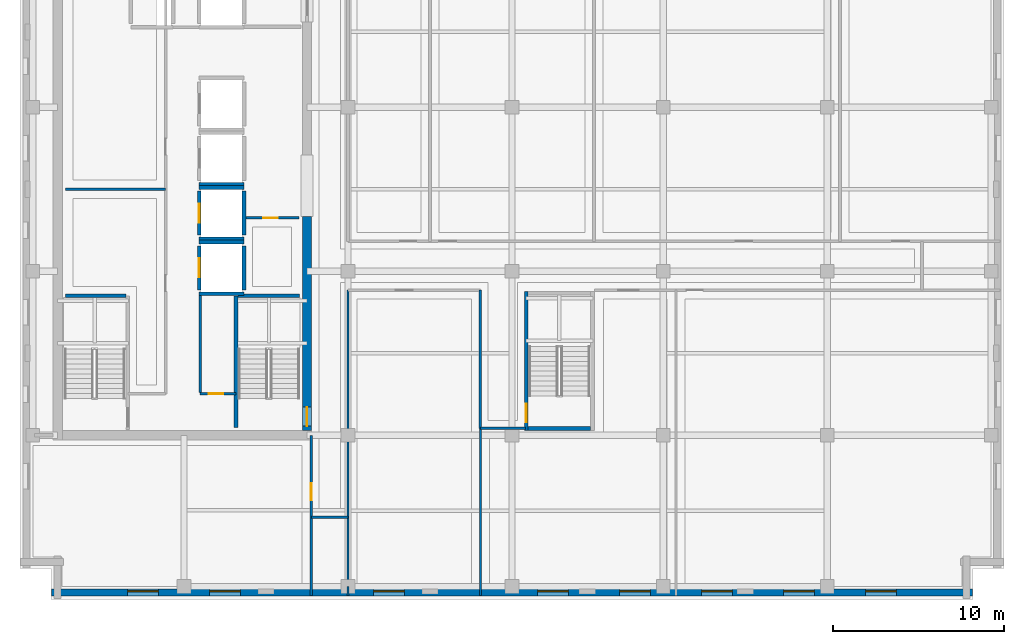
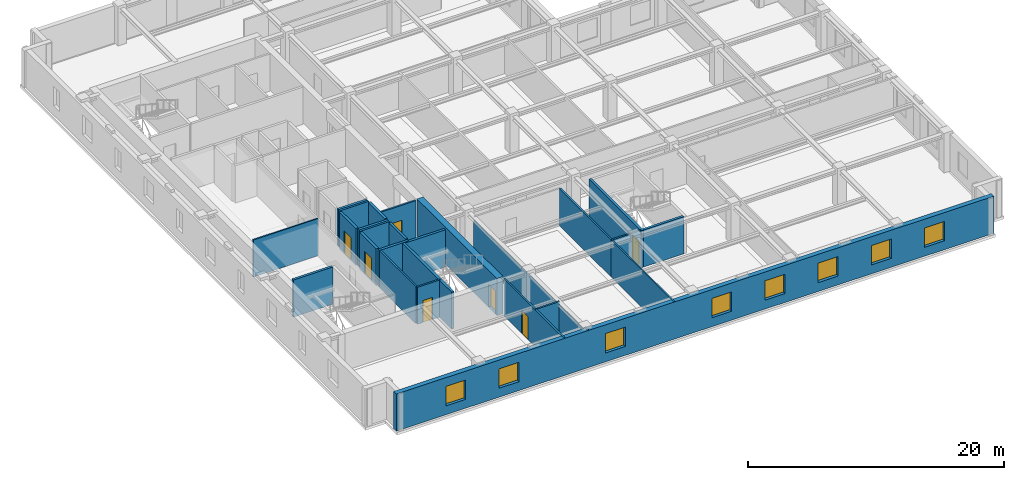
# One storey, part 3 of 10: 27 walls, 8 windows, 7 doors, 15 openings.
"""IFC4 building model written with IfcOpenShell, lengths in metres."""

from ifc_helpers import new_model, si_unit, direction, frame, frame_2d, origin, place, context, subcontext, project, spatial, rectangle, extrude, material, layer, layer_set, type_object, element, fill, save


model = new_model("IFC4")

# Units and contexts
model_context = context("Model", 3, precision=1e-05, world=origin(), true_north=direction((0.0, 1.0)))
body_context = subcontext(model_context, "Body", "Model", "MODEL_VIEW")
ifc_project = project(units=[si_unit("LENGTHUNIT", "METRE"), si_unit("AREAUNIT", "SQUARE_METRE"), si_unit("VOLUMEUNIT", "CUBIC_METRE"), si_unit("PLANEANGLEUNIT", "RADIAN"), si_unit("MASSUNIT", "GRAM", prefix="KILO")], contexts=[model_context])

# Site, building, storey
site_placement = place(None, origin())
site = spatial("IfcSite", under=ifc_project, at=site_placement, CompositionType="ELEMENT")
building_placement = place(site_placement, origin())
building = spatial("IfcBuilding", under=site, at=building_placement, Name="Norrvale University Quadrangle", CompositionType="ELEMENT")
storey_placement = place(building_placement, frame((0.0, 0.0, 233.199951171875)))
storey = spatial("IfcBuildingStorey", under=building, at=storey_placement, Name="L59", CompositionType="ELEMENT", Elevation=233.199951171875)

# Wall, openings, windows
ifc_material_1 = material(Name="Buff Norman Clay Brick Masonry", Category="masonry")
ifc_layer_1 = layer(ifc_material_1, 0.419921875, Name="Buff Norman Clay Brick Masonry")
ifc_layer_set_1 = layer_set([ifc_layer_1], Name="Buff Norman Clay Brick Masonry")
wall_type_1 = type_object("IfcWallType", Name="Wall Buff Brick 420", PredefinedType="SOLIDWALL", material=ifc_layer_set_1)
wall_1_placement = place(storey_placement, frame((1.840087890625, 0.389892578125, 0.0), z_axis=(0.0, 0.0, 1.0), x_axis=(1.0, 0.0, 0.0)))
wall_1 = element("IfcWall", 1, at=wall_1_placement, inside=storey, type_object=wall_type_1, Name="Exterior Brick Facade Wall L59-01.1", PredefinedType="SOLIDWALL", context=body_context, shape_type="SweptSolid", body=[
    extrude(rectangle(XDim=53.919921875, YDim=0.419921875, at=frame_2d((26.9599609375, 0.0))), origin(), (0.0, 0.0, 1.0), 3.5400390625),
])
opening_1_placement = place(wall_1_placement, frame((4.4599609375, 0.0, 0.85009765625)))
opening_1 = element("IfcOpeningElement", 2, at=opening_1_placement, cuts=wall_1, Name="Opening W01", PredefinedType="OPENING", context=body_context, shape_type="SweptSolid", body=[
    extrude(rectangle(XDim=1.800048828125, YDim=1.85009765625, at=frame_2d((0.89990234375, 0.925048828125))), frame((0.0, 0.221923828125, 0.0), z_axis=(0.0, -1.0, 0.0), x_axis=(1.0, 0.0, 0.0)), (0.0, 0.0, 1.0), 0.44384765625),
])
opening_2_placement = place(wall_1_placement, frame((9.260009765625, 0.0, 0.85009765625)))
opening_2 = element("IfcOpeningElement", 3, at=opening_2_placement, cuts=wall_1, Name="Opening W01", PredefinedType="OPENING", context=body_context, shape_type="SweptSolid", body=[
    extrude(rectangle(XDim=1.800048828125, YDim=1.85009765625, at=frame_2d((0.89990234375, 0.925048828125))), frame((0.0, 0.221923828125, 0.0), z_axis=(0.0, -1.0, 0.0), x_axis=(1.0, 0.0, 0.0)), (0.0, 0.0, 1.0), 0.44384765625),
])
opening_3_placement = place(wall_1_placement, frame((18.860107421875, 0.0, 0.85009765625)))
opening_3 = element("IfcOpeningElement", 4, at=opening_3_placement, cuts=wall_1, Name="Opening W01", PredefinedType="OPENING", context=body_context, shape_type="SweptSolid", body=[
    extrude(rectangle(XDim=1.800048828125, YDim=1.85009765625, at=frame_2d((0.89990234375, 0.925048828125))), frame((0.0, 0.221923828125, 0.0), z_axis=(0.0, -1.0, 0.0), x_axis=(1.0, 0.0, 0.0)), (0.0, 0.0, 1.0), 0.44384765625),
])
opening_4_placement = place(wall_1_placement, frame((28.4599609375, 0.0, 0.85009765625)))
opening_4 = element("IfcOpeningElement", 5, at=opening_4_placement, cuts=wall_1, Name="Opening W01", PredefinedType="OPENING", context=body_context, shape_type="SweptSolid", body=[
    extrude(rectangle(XDim=1.800048828125, YDim=1.85009765625, at=frame_2d((0.89990234375, 0.925048828125))), frame((0.0, 0.221923828125, 0.0), z_axis=(0.0, -1.0, 0.0), x_axis=(1.0, 0.0, 0.0)), (0.0, 0.0, 1.0), 0.44384765625),
])
opening_5_placement = place(wall_1_placement, frame((33.260009765625, 0.0, 0.85009765625)))
opening_5 = element("IfcOpeningElement", 6, at=opening_5_placement, cuts=wall_1, Name="Opening W01", PredefinedType="OPENING", context=body_context, shape_type="SweptSolid", body=[
    extrude(rectangle(XDim=1.800048828125, YDim=1.85009765625, at=frame_2d((0.89990234375, 0.925048828125))), frame((0.0, 0.221923828125, 0.0), z_axis=(0.0, -1.0, 0.0), x_axis=(1.0, 0.0, 0.0)), (0.0, 0.0, 1.0), 0.44384765625),
])
opening_6_placement = place(wall_1_placement, frame((38.06005859375, 0.0, 0.85009765625)))
opening_6 = element("IfcOpeningElement", 7, at=opening_6_placement, cuts=wall_1, Name="Opening W01", PredefinedType="OPENING", context=body_context, shape_type="SweptSolid", body=[
    extrude(rectangle(XDim=1.800048828125, YDim=1.85009765625, at=frame_2d((0.89990234375, 0.925048828125))), frame((0.0, 0.221923828125, 0.0), z_axis=(0.0, -1.0, 0.0), x_axis=(1.0, 0.0, 0.0)), (0.0, 0.0, 1.0), 0.44384765625),
])
opening_7_placement = place(wall_1_placement, frame((42.860107421875, 0.0, 0.85009765625)))
opening_7 = element("IfcOpeningElement", 8, at=opening_7_placement, cuts=wall_1, Name="Opening W01", PredefinedType="OPENING", context=body_context, shape_type="SweptSolid", body=[
    extrude(rectangle(XDim=1.800048828125, YDim=1.85009765625, at=frame_2d((0.89990234375, 0.925048828125))), frame((0.0, 0.221923828125, 0.0), z_axis=(0.0, -1.0, 0.0), x_axis=(1.0, 0.0, 0.0)), (0.0, 0.0, 1.0), 0.44384765625),
])
opening_8_placement = place(wall_1_placement, frame((47.659912109375, 0.0, 0.85009765625)))
opening_8 = element("IfcOpeningElement", 9, at=opening_8_placement, cuts=wall_1, Name="Opening W01", PredefinedType="OPENING", context=body_context, shape_type="SweptSolid", body=[
    extrude(rectangle(XDim=1.800048828125, YDim=1.85009765625, at=frame_2d((0.89990234375, 0.925048828125))), frame((0.0, 0.221923828125, 0.0), z_axis=(0.0, -1.0, 0.0), x_axis=(1.0, 0.0, 0.0)), (0.0, 0.0, 1.0), 0.44384765625),
])
ifc_material_2 = material(Name="Triple Low-E Argon Glazing", Category="glass")
window_type = type_object("IfcWindowType", Name="Window Academic 1800x2300", PartitioningType="DOUBLE_PANEL_VERTICAL", PredefinedType="WINDOW", material=ifc_material_2)
window_1_placement = place(opening_1_placement, origin())
window_1 = element("IfcWindow", 10, at=window_1_placement, inside=storey, type_object=window_type, Name="Window Academic 1800x2300 WIN-L59-E01-1-01", OverallHeight=1.85009765625, OverallWidth=1.800048828125, PartitioningType="DOUBLE_PANEL_VERTICAL", PredefinedType="WINDOW", context=body_context, shape_type="SweptSolid", body=[
    extrude(rectangle(XDim=1.800048828125, YDim=1.85009765625, at=frame_2d((0.89990234375, 0.925048828125))), frame((0.0, 0.110107421875, 0.0), z_axis=(0.0, -1.0, 0.0), x_axis=(1.0, 0.0, 0.0)), (0.0, 0.0, 1.0), 0.06005859375),
])
fill(opening_1, window_1)
window_2_placement = place(opening_2_placement, origin())
window_2 = element("IfcWindow", 11, at=window_2_placement, inside=storey, type_object=window_type, Name="Window Academic 1800x2300 WIN-L59-E01-1-02", OverallHeight=1.85009765625, OverallWidth=1.800048828125, PartitioningType="DOUBLE_PANEL_VERTICAL", PredefinedType="WINDOW", context=body_context, shape_type="SweptSolid", body=[
    extrude(rectangle(XDim=1.800048828125, YDim=1.85009765625, at=frame_2d((0.89990234375, 0.925048828125))), frame((0.0, 0.110107421875, 0.0), z_axis=(0.0, -1.0, 0.0), x_axis=(1.0, 0.0, 0.0)), (0.0, 0.0, 1.0), 0.06005859375),
])
fill(opening_2, window_2)
window_3_placement = place(opening_3_placement, origin())
window_3 = element("IfcWindow", 12, at=window_3_placement, inside=storey, type_object=window_type, Name="Window Academic 1800x2300 WIN-L59-E01-1-03", OverallHeight=1.85009765625, OverallWidth=1.800048828125, PartitioningType="DOUBLE_PANEL_VERTICAL", PredefinedType="WINDOW", context=body_context, shape_type="SweptSolid", body=[
    extrude(rectangle(XDim=1.800048828125, YDim=1.85009765625, at=frame_2d((0.89990234375, 0.925048828125))), frame((0.0, 0.110107421875, 0.0), z_axis=(0.0, -1.0, 0.0), x_axis=(1.0, 0.0, 0.0)), (0.0, 0.0, 1.0), 0.06005859375),
])
fill(opening_3, window_3)
window_4_placement = place(opening_4_placement, origin())
window_4 = element("IfcWindow", 13, at=window_4_placement, inside=storey, type_object=window_type, Name="Window Academic 1800x2300 WIN-L59-E01-1-04", OverallHeight=1.85009765625, OverallWidth=1.800048828125, PartitioningType="DOUBLE_PANEL_VERTICAL", PredefinedType="WINDOW", context=body_context, shape_type="SweptSolid", body=[
    extrude(rectangle(XDim=1.800048828125, YDim=1.85009765625, at=frame_2d((0.89990234375, 0.925048828125))), frame((0.0, 0.110107421875, 0.0), z_axis=(0.0, -1.0, 0.0), x_axis=(1.0, 0.0, 0.0)), (0.0, 0.0, 1.0), 0.06005859375),
])
fill(opening_4, window_4)
window_5_placement = place(opening_5_placement, origin())
window_5 = element("IfcWindow", 14, at=window_5_placement, inside=storey, type_object=window_type, Name="Window Academic 1800x2300 WIN-L59-E01-1-05", OverallHeight=1.85009765625, OverallWidth=1.800048828125, PartitioningType="DOUBLE_PANEL_VERTICAL", PredefinedType="WINDOW", context=body_context, shape_type="SweptSolid", body=[
    extrude(rectangle(XDim=1.800048828125, YDim=1.85009765625, at=frame_2d((0.89990234375, 0.925048828125))), frame((0.0, 0.110107421875, 0.0), z_axis=(0.0, -1.0, 0.0), x_axis=(1.0, 0.0, 0.0)), (0.0, 0.0, 1.0), 0.06005859375),
])
fill(opening_5, window_5)
window_6_placement = place(opening_6_placement, origin())
window_6 = element("IfcWindow", 15, at=window_6_placement, inside=storey, type_object=window_type, Name="Window Academic 1800x2300 WIN-L59-E01-1-06", OverallHeight=1.85009765625, OverallWidth=1.800048828125, PartitioningType="DOUBLE_PANEL_VERTICAL", PredefinedType="WINDOW", context=body_context, shape_type="SweptSolid", body=[
    extrude(rectangle(XDim=1.800048828125, YDim=1.85009765625, at=frame_2d((0.89990234375, 0.925048828125))), frame((0.0, 0.110107421875, 0.0), z_axis=(0.0, -1.0, 0.0), x_axis=(1.0, 0.0, 0.0)), (0.0, 0.0, 1.0), 0.06005859375),
])
fill(opening_6, window_6)
window_7_placement = place(opening_7_placement, origin())
window_7 = element("IfcWindow", 16, at=window_7_placement, inside=storey, type_object=window_type, Name="Window Academic 1800x2300 WIN-L59-E01-1-07", OverallHeight=1.85009765625, OverallWidth=1.800048828125, PartitioningType="DOUBLE_PANEL_VERTICAL", PredefinedType="WINDOW", context=body_context, shape_type="SweptSolid", body=[
    extrude(rectangle(XDim=1.800048828125, YDim=1.85009765625, at=frame_2d((0.89990234375, 0.925048828125))), frame((0.0, 0.110107421875, 0.0), z_axis=(0.0, -1.0, 0.0), x_axis=(1.0, 0.0, 0.0)), (0.0, 0.0, 1.0), 0.06005859375),
])
fill(opening_7, window_7)
window_8_placement = place(opening_8_placement, origin())
window_8 = element("IfcWindow", 17, at=window_8_placement, inside=storey, type_object=window_type, Name="Window Academic 1800x2300 WIN-L59-E01-1-08", OverallHeight=1.85009765625, OverallWidth=1.800048828125, PartitioningType="DOUBLE_PANEL_VERTICAL", PredefinedType="WINDOW", context=body_context, shape_type="SweptSolid", body=[
    extrude(rectangle(XDim=1.800048828125, YDim=1.85009765625, at=frame_2d((0.89990234375, 0.925048828125))), frame((0.0, 0.110107421875, 0.0), z_axis=(0.0, -1.0, 0.0), x_axis=(1.0, 0.0, 0.0)), (0.0, 0.0, 1.0), 0.06005859375),
])
fill(opening_8, window_8)

# Wall, opening, door
ifc_material_3 = material(Name="Concrete C60/75", Category="concrete")
ifc_layer_2 = layer(ifc_material_3, 0.550048828125, Name="Concrete C60/75")
ifc_layer_set_2 = layer_set([ifc_layer_2], Name="Concrete C60/75")
wall_type_2 = type_object("IfcWallType", Name="Wall Core 550", PredefinedType="SHEAR", material=ifc_layer_set_2)
wall_2_placement = place(storey_placement, frame((16.800048828125, 9.875, 0.0), z_axis=(0.0, 0.0, 1.0), x_axis=(0.0, 1.0, 0.0)))
wall_2 = element("IfcWall", 18, at=wall_2_placement, inside=storey, type_object=wall_type_2, Name="Tower Core Shear Wall L59-E1", PredefinedType="SHEAR", context=body_context, shape_type="SweptSolid", body=[
    extrude(rectangle(XDim=12.52490234375, YDim=0.550048828125, at=frame_2d((6.262451171875, 0.0))), origin(), (0.0, 0.0, 1.0), 3.5400390625),
])
opening_9_placement = place(wall_2_placement, frame((0.264892578125, 0.0, 0.0)))
opening_9 = element("IfcOpeningElement", 19, at=opening_9_placement, cuts=wall_2, Name="Opening D02", PredefinedType="OPENING", context=body_context, shape_type="SweptSolid", body=[
    extrude(rectangle(XDim=1.10009765625, YDim=2.199951171875, at=frame_2d((0.550048828125, 1.10009765625))), frame((0.0, 0.287109375, 0.0), z_axis=(0.0, -1.0, 0.0), x_axis=(1.0, 0.0, 0.0)), (0.0, 0.0, 1.0), 0.573974609375),
])
ifc_material_4 = material(Name="Hollow Steel 350W Fire Door", Category="steel")
door_type_1 = type_object("IfcDoorType", Name="Door Stair Exit 1100x2200", OperationType="NOTDEFINED", PredefinedType="DOOR", material=ifc_material_4)
door_1_placement = place(opening_9_placement, origin())
door_1 = element("IfcDoor", 20, at=door_1_placement, inside=storey, type_object=door_type_1, Name="Door Stair Exit 1100x2200 DR-L59-ST03", OperationType="SINGLE_SWING_LEFT", OverallHeight=2.199951171875, OverallWidth=1.10009765625, PredefinedType="DOOR", context=body_context, shape_type="SweptSolid", body=[
    extrude(rectangle(XDim=1.10009765625, YDim=2.199951171875, at=frame_2d((0.550048828125, 1.10009765625))), frame((0.0, 0.02490234375, 0.0), z_axis=(0.0, -1.0, 0.0), x_axis=(1.0, 0.0, 0.0)), (0.0, 0.0, 1.0), 0.050048828125),
])
fill(opening_9, door_1)

# Walls
ifc_material_5 = material(Name="Standard Academic Gypsum Partition")
ifc_layer_3 = layer(ifc_material_5, 0.125, Name="Standard Academic Gypsum Partition")
ifc_layer_set_3 = layer_set([ifc_layer_3], Name="Standard Academic Gypsum Partition")
wall_type_3 = type_object("IfcWallType", Name="Wall Gypsum Academic 125", PredefinedType="PARTITIONING", material=ifc_layer_set_3)
wall_3_placement = place(storey_placement, frame((2.64990234375, 24.0, 0.0), z_axis=(0.0, 0.0, 1.0), x_axis=(1.0, 0.0, 0.0)))
element("IfcWall", 21, at=wall_3_placement, inside=storey, type_object=wall_type_3, Name="Interior Partition WL-L59-REC-M", PredefinedType="PARTITIONING", context=body_context, shape_type="SweptSolid", body=[
    extrude(rectangle(XDim=5.8701171875, YDim=0.125, at=frame_2d((2.93505859375, 0.0))), origin(), (0.0, 0.0, 1.0), 3.5400390625),
])
wall_4_placement = place(storey_placement, frame((19.199951171875, 0.219970703125, 0.0), z_axis=(0.0, 0.0, 1.0), x_axis=(0.0, 1.0, 0.0)))
element("IfcWall", 22, at=wall_4_placement, inside=storey, type_object=wall_type_3, Name="Interior Partition WL-L59-SE-W0", PredefinedType="PARTITIONING", context=body_context, shape_type="SweptSolid", body=[
    extrude(rectangle(XDim=0.530029296875, YDim=0.125, at=frame_2d((0.26513671875, 0.0))), origin(), (0.0, 0.0, 1.0), 3.5400390625),
])
wall_5_placement = place(storey_placement, frame((19.199951171875, 0.75, 0.0), z_axis=(0.0, 0.0, 1.0), x_axis=(0.0, 1.0, 0.0)))
element("IfcWall", 23, at=wall_5_placement, inside=storey, type_object=wall_type_3, Name="Interior Partition WL-L59-SE-W0-B2", PredefinedType="PARTITIONING", context=body_context, shape_type="SweptSolid", body=[
    extrude(rectangle(XDim=17.35009765625, YDim=0.125, at=frame_2d((8.675048828125, 0.0))), origin(), (0.0, 0.0, 1.0), 3.18408203125),
])
wall_6_placement = place(storey_placement, frame((26.949951171875, 0.219970703125, 0.0), z_axis=(0.0, 0.0, 1.0), x_axis=(0.0, 1.0, 0.0)))
element("IfcWall", 24, at=wall_6_placement, inside=storey, type_object=wall_type_3, Name="Interior Partition WL-L59-SEP1A", PredefinedType="PARTITIONING", context=body_context, shape_type="SweptSolid", body=[
    extrude(rectangle(XDim=9.780029296875, YDim=0.125, at=frame_2d((4.89013671875, 0.0))), origin(), (0.0, 0.0, 1.0), 3.5400390625),
])

# Wall, opening, door
ifc_material_6 = material(Name="Fire-Rated Gypsum Stud Partition")
ifc_layer_4 = layer(ifc_material_6, 0.14990234375, Name="Fire-Rated Gypsum Stud Partition")
ifc_layer_set_4 = layer_set([ifc_layer_4], Name="Fire-Rated Gypsum Stud Partition")
wall_type_4 = type_object("IfcWallType", Name="Wall Gypsum Corridor 150", PredefinedType="PARTITIONING", material=ifc_layer_set_4)
wall_7_placement = place(storey_placement, frame((10.550048828125, 12.02001953125, 0.0), z_axis=(0.0, 0.0, 1.0), x_axis=(1.0, 0.0, 0.0)))
wall_7 = element("IfcWall", 25, at=wall_7_placement, inside=storey, type_object=wall_type_4, Name="Interior Partition WL-L59-SC-NR", PredefinedType="PARTITIONING", context=body_context, shape_type="SweptSolid", body=[
    extrude(rectangle(XDim=2.079833984375, YDim=0.14990234375, at=frame_2d((1.0400390625, 0.0))), origin(), (0.0, 0.0, 1.0), 3.5400390625),
])
opening_10_placement = place(wall_7_placement, frame((0.5, 0.0, 0.0)))
opening_10 = element("IfcOpeningElement", 26, at=opening_10_placement, cuts=wall_7, Name="Opening D10", PredefinedType="OPENING", context=body_context, shape_type="SweptSolid", body=[
    extrude(rectangle(XDim=0.85009765625, YDim=2.10009765625, at=frame_2d((0.425048828125, 1.050048828125))), frame((0.0, 0.0869140625, 0.0), z_axis=(0.0, -1.0, 0.0), x_axis=(1.0, 0.0, 0.0)), (0.0, 0.0, 1.0), 0.173828125),
])
ifc_material_7 = material(Name="Hollow Steel 350W Riser Fire Door", Category="steel")
door_type_2 = type_object("IfcDoorType", Name="Door Riser 850x2100", OperationType="NOTDEFINED", PredefinedType="DOOR", material=ifc_material_7)
door_2_placement = place(opening_10_placement, origin())
door_2 = element("IfcDoor", 27, at=door_2_placement, inside=storey, type_object=door_type_2, Name="Door Riser 850x2100 DR-L59-IDF", OperationType="SINGLE_SWING_RIGHT", OverallHeight=2.10009765625, OverallWidth=0.85009765625, PredefinedType="DOOR", context=body_context, shape_type="SweptSolid", body=[
    extrude(rectangle(XDim=0.85009765625, YDim=2.10009765625, at=frame_2d((0.425048828125, 1.050048828125))), frame((0.0, 0.02490234375, 0.0), z_axis=(0.0, -1.0, 0.0), x_axis=(1.0, 0.0, 0.0)), (0.0, 0.0, 1.0), 0.050048828125),
])
fill(opening_10, door_2)

# Wall
wall_8_placement = place(storey_placement, frame((10.550048828125, 12.094970703125, 0.0), z_axis=(0.0, 0.0, 1.0), x_axis=(0.0, 1.0, 0.0)))
element("IfcWall", 28, at=wall_8_placement, inside=storey, type_object=wall_type_4, Name="Interior Partition WL-L59-SC-WR", PredefinedType="PARTITIONING", context=body_context, shape_type="SweptSolid", body=[
    extrude(rectangle(XDim=5.679931640625, YDim=0.14990234375, at=frame_2d((2.83984375, 0.0))), origin(), (0.0, 0.0, 1.0), 3.5400390625),
])

# Wall, opening, door
wall_9_placement = place(storey_placement, frame((13.22509765625, 22.320068359375, 0.0), z_axis=(0.0, 0.0, 1.0), x_axis=(1.0, 0.0, 0.0)))
wall_9 = element("IfcWall", 29, at=wall_9_placement, inside=storey, type_object=wall_type_4, Name="Interior Partition WL-L59-JAN-N", PredefinedType="PARTITIONING", context=body_context, shape_type="SweptSolid", body=[
    extrude(rectangle(XDim=3.119873046875, YDim=0.14990234375, at=frame_2d((1.56005859375, 0.0))), origin(), (0.0, 0.0, 1.0), 3.5400390625),
])
opening_11_placement = place(wall_9_placement, frame((1.0, 0.0, 0.0)))
opening_11 = element("IfcOpeningElement", 30, at=opening_11_placement, cuts=wall_9, Name="Opening D10", PredefinedType="OPENING", context=body_context, shape_type="SweptSolid", body=[
    extrude(rectangle(XDim=0.85009765625, YDim=2.10009765625, at=frame_2d((0.425048828125, 1.050048828125))), frame((0.0, 0.0869140625, 0.0), z_axis=(0.0, -1.0, 0.0), x_axis=(1.0, 0.0, 0.0)), (0.0, 0.0, 1.0), 0.173828125),
])
door_3_placement = place(opening_11_placement, origin())
door_3 = element("IfcDoor", 31, at=door_3_placement, inside=storey, type_object=door_type_2, Name="Door Riser 850x2100 DR-L59-JAN", OperationType="SINGLE_SWING_LEFT", OverallHeight=2.10009765625, OverallWidth=0.85009765625, PredefinedType="DOOR", context=body_context, shape_type="SweptSolid", body=[
    extrude(rectangle(XDim=0.85009765625, YDim=2.10009765625, at=frame_2d((0.425048828125, 1.050048828125))), frame((0.0, 0.02490234375, 0.0), z_axis=(0.0, -1.0, 0.0), x_axis=(1.0, 0.0, 0.0)), (0.0, 0.0, 1.0), 0.050048828125),
])
fill(opening_11, door_3)

# Wall
wall_10_placement = place(storey_placement, frame((17.050048828125, 4.800048828125, 0.0), z_axis=(0.0, 0.0, 1.0), x_axis=(1.0, 0.0, 0.0)))
element("IfcWall", 32, at=wall_10_placement, inside=storey, type_object=wall_type_4, Name="Interior Partition WL-L59-CSP-S", PredefinedType="PARTITIONING", context=body_context, shape_type="SweptSolid", body=[
    extrude(rectangle(XDim=2.14990234375, YDim=0.14990234375, at=frame_2d((1.074951171875, 0.0))), origin(), (0.0, 0.0, 1.0), 3.5400390625),
])

# Wall, opening, door
wall_11_placement = place(storey_placement, frame((17.050048828125, 0.219970703125, 0.0), z_axis=(0.0, 0.0, 1.0), x_axis=(0.0, 1.0, 0.0)))
wall_11 = element("IfcWall", 33, at=wall_11_placement, inside=storey, type_object=wall_type_4, Name="Interior Partition WL-L59-SW-E", PredefinedType="PARTITIONING", context=body_context, shape_type="SweptSolid", body=[
    extrude(rectangle(XDim=9.380126953125, YDim=0.14990234375, at=frame_2d((4.68994140625, 0.0))), origin(), (0.0, 0.0, 1.0), 3.5400390625),
])
opening_12_placement = place(wall_11_placement, frame((5.580078125, 0.0, 0.0)))
opening_12 = element("IfcOpeningElement", 34, at=opening_12_placement, cuts=wall_11, Name="Opening D04", PredefinedType="OPENING", context=body_context, shape_type="SweptSolid", body=[
    extrude(rectangle(XDim=1.0, YDim=2.199951171875, at=frame_2d((0.5, 1.10009765625))), frame((0.0, 0.0869140625, 0.0), z_axis=(0.0, -1.0, 0.0), x_axis=(1.0, 0.0, 0.0)), (0.0, 0.0, 1.0), 0.173828125),
])
ifc_material_8 = material(Name="Solid-Core Oak Fire Door", Category="wood")
door_type_3 = type_object("IfcDoorType", Name="Door Corridor 1000x2200", OperationType="NOTDEFINED", PredefinedType="DOOR", material=ifc_material_8)
door_4_placement = place(opening_12_placement, origin())
door_4 = element("IfcDoor", 35, at=door_4_placement, inside=storey, type_object=door_type_3, Name="Door Corridor 1000x2200 DR-L59-SW1", OperationType="SINGLE_SWING_LEFT", OverallHeight=2.199951171875, OverallWidth=1.0, PredefinedType="DOOR", context=body_context, shape_type="SweptSolid", body=[
    extrude(rectangle(XDim=1.0, YDim=2.199951171875, at=frame_2d((0.5, 1.10009765625))), frame((0.0, 0.02490234375, 0.0), z_axis=(0.0, -1.0, 0.0), x_axis=(1.0, 0.0, 0.0)), (0.0, 0.0, 1.0), 0.050048828125),
])
fill(opening_12, door_4)

# Walls
wall_12_placement = place(storey_placement, frame((26.949951171875, 10.0, 0.0), z_axis=(0.0, 0.0, 1.0), x_axis=(0.0, 1.0, 0.0)))
element("IfcWall", 36, at=wall_12_placement, inside=storey, type_object=wall_type_4, Name="Interior Partition WL-L59-SEP1B", PredefinedType="PARTITIONING", context=body_context, shape_type="SweptSolid", body=[
    extrude(rectangle(XDim=8.10009765625, YDim=0.14990234375, at=frame_2d((4.050048828125, 0.0))), origin(), (0.0, 0.0, 1.0), 3.5400390625),
])
wall_13_placement = place(storey_placement, frame((26.949951171875, 10.0, 0.0), z_axis=(0.0, 0.0, 1.0), x_axis=(1.0, 0.0, 0.0)))
element("IfcWall", 37, at=wall_13_placement, inside=storey, type_object=wall_type_4, Name="Interior Partition WL-L59-SEP1C", PredefinedType="PARTITIONING", context=body_context, shape_type="SweptSolid", body=[
    extrude(rectangle(XDim=2.630126953125, YDim=0.14990234375, at=frame_2d((1.31494140625, 0.0))), origin(), (0.0, 0.0, 1.0), 3.5400390625),
])
ifc_material_9 = material(Name="Concrete Blockwork 20 MPa Fire Shaft", Category="masonry")
ifc_layer_5 = layer(ifc_material_9, 0.219970703125, Name="Concrete Blockwork 20 MPa Fire Shaft")
ifc_layer_set_5 = layer_set([ifc_layer_5], Name="Concrete Blockwork 20 MPa Fire Shaft")
wall_type_5 = type_object("IfcWallType", Name="Wall Shaft 220", PredefinedType="SOLIDWALL", material=ifc_layer_set_5)
wall_14_placement = place(storey_placement, frame((2.64990234375, 17.760009765625, 0.0), z_axis=(0.0, 0.0, 1.0), x_axis=(1.0, 0.0, 0.0)))
element("IfcWall", 38, at=wall_14_placement, inside=storey, type_object=wall_type_5, Name="Stair ST-01 North Shaft Wall L59", PredefinedType="SOLIDWALL", context=body_context, shape_type="SweptSolid", body=[
    extrude(rectangle(XDim=3.550048828125, YDim=0.219970703125, at=frame_2d((1.77490234375, 0.0))), origin(), (0.0, 0.0, 1.0), 3.5400390625),
])
wall_15_placement = place(storey_placement, frame((12.639892578125, 10.050048828125, 0.0), z_axis=(0.0, 0.0, 1.0), x_axis=(0.0, 1.0, 0.0)))
element("IfcWall", 39, at=wall_15_placement, inside=storey, type_object=wall_type_5, Name="Stair ST-03 West Shaft Wall L59", PredefinedType="SOLIDWALL", context=body_context, shape_type="SweptSolid", body=[
    extrude(rectangle(XDim=7.7099609375, YDim=0.219970703125, at=frame_2d((3.85498046875, 0.0))), origin(), (0.0, 0.0, 1.0), 3.5400390625),
])
wall_16_placement = place(storey_placement, frame((12.75, 17.760009765625, 0.0), z_axis=(0.0, 0.0, 1.0), x_axis=(1.0, 0.0, 0.0)))
element("IfcWall", 40, at=wall_16_placement, inside=storey, type_object=wall_type_5, Name="Stair ST-03 North Shaft Wall L59", PredefinedType="SOLIDWALL", context=body_context, shape_type="SweptSolid", body=[
    extrude(rectangle(XDim=3.60009765625, YDim=0.219970703125, at=frame_2d((1.800048828125, 0.0))), origin(), (0.0, 0.0, 1.0), 3.5400390625),
])
wall_17_placement = place(storey_placement, frame((29.75, 9.989990234375, 0.0), z_axis=(0.0, 0.0, 1.0), x_axis=(1.0, 0.0, 0.0)))
element("IfcWall", 41, at=wall_17_placement, inside=storey, type_object=wall_type_5, Name="Stair ST-04 South Shaft Wall L59", PredefinedType="SOLIDWALL", context=body_context, shape_type="SweptSolid", body=[
    extrude(rectangle(XDim=3.64990234375, YDim=0.219970703125, at=frame_2d((1.824951171875, 0.0))), origin(), (0.0, 0.0, 1.0), 3.5400390625),
])

# Wall, opening, door
wall_18_placement = place(storey_placement, frame((29.639892578125, 9.8798828125, 0.0), z_axis=(0.0, 0.0, 1.0), x_axis=(0.0, 1.0, 0.0)))
wall_18 = element("IfcWall", 42, at=wall_18_placement, inside=storey, type_object=wall_type_5, Name="Stair ST-04 West Shaft Wall L59", PredefinedType="SOLIDWALL", context=body_context, shape_type="SweptSolid", body=[
    extrude(rectangle(XDim=8.14013671875, YDim=0.219970703125, at=frame_2d((4.070068359375, 0.0))), origin(), (0.0, 0.0, 1.0), 3.5400390625),
])
opening_13_placement = place(wall_18_placement, frame((0.469970703125, 0.0, 0.0)))
opening_13 = element("IfcOpeningElement", 43, at=opening_13_placement, cuts=wall_18, Name="Opening D02", PredefinedType="OPENING", context=body_context, shape_type="SweptSolid", body=[
    extrude(rectangle(XDim=1.10009765625, YDim=2.199951171875, at=frame_2d((0.550048828125, 1.10009765625))), frame((0.0, 0.1220703125, 0.0), z_axis=(0.0, -1.0, 0.0), x_axis=(1.0, 0.0, 0.0)), (0.0, 0.0, 1.0), 0.243896484375),
])
door_5_placement = place(opening_13_placement, frame((1.10009765625, 0.0, 0.0), z_axis=(0.0, 0.0, 1.0), x_axis=(-1.0, 0.0, 0.0)))
door_5 = element("IfcDoor", 44, at=door_5_placement, inside=storey, type_object=door_type_1, Name="Door Stair Exit 1100x2200 DR-L59-ST04", OperationType="SINGLE_SWING_RIGHT", OverallHeight=2.199951171875, OverallWidth=1.10009765625, PredefinedType="DOOR", context=body_context, shape_type="SweptSolid", body=[
    extrude(rectangle(XDim=1.10009765625, YDim=2.199951171875, at=frame_2d((0.550048828125, 1.10009765625))), frame((0.0, 0.02490234375, 0.0), z_axis=(0.0, -1.0, 0.0), x_axis=(1.0, 0.0, 0.0)), (0.0, 0.0, 1.0), 0.050048828125),
])
fill(opening_13, door_5)

wall_19_placement = place(storey_placement, frame((10.489990234375, 18.110107421875, 0.0), z_axis=(0.0, 0.0, 1.0), x_axis=(0.0, 1.0, 0.0)))
wall_19 = element("IfcWall", 45, at=wall_19_placement, inside=storey, type_object=wall_type_5, Name="Hoistway PL-05 West Wall L59", PredefinedType="SOLIDWALL", context=body_context, shape_type="SweptSolid", body=[
    extrude(rectangle(XDim=2.579833984375, YDim=0.219970703125, at=frame_2d((1.2900390625, 0.0))), origin(), (0.0, 0.0, 1.0), 3.5400390625),
])
opening_14_placement = place(wall_19_placement, frame((0.739990234375, 0.0, 0.0)))
opening_14 = element("IfcOpeningElement", 46, at=opening_14_placement, cuts=wall_19, Name="Opening LD1", PredefinedType="OPENING", context=body_context, shape_type="SweptSolid", body=[
    extrude(rectangle(XDim=1.10009765625, YDim=2.199951171875, at=frame_2d((0.550048828125, 1.10009765625))), frame((0.0, 0.1220703125, 0.0), z_axis=(0.0, -1.0, 0.0), x_axis=(1.0, 0.0, 0.0)), (0.0, 0.0, 1.0), 0.243896484375),
])
ifc_material_10 = material(Name="Stainless Steel 316L Lift Landing Door", Category="steel")
door_type_4 = type_object("IfcDoorType", Name="Door Lift Landing 1100x2200", OperationType="DOUBLE_DOOR_SLIDING", PredefinedType="DOOR", material=ifc_material_10)
door_6_placement = place(opening_14_placement, origin())
door_6 = element("IfcDoor", 47, at=door_6_placement, inside=storey, type_object=door_type_4, Name="Elevator Landing Door DR-L59-PL-05", OperationType="DOUBLE_DOOR_SLIDING", OverallHeight=2.199951171875, OverallWidth=1.10009765625, PredefinedType="DOOR", context=body_context, shape_type="SweptSolid", body=[
    extrude(rectangle(XDim=1.10009765625, YDim=2.199951171875, at=frame_2d((0.550048828125, 1.10009765625))), frame((0.0, 0.02490234375, 0.0), z_axis=(0.0, -1.0, 0.0), x_axis=(1.0, 0.0, 0.0)), (0.0, 0.0, 1.0), 0.050048828125),
])
fill(opening_14, door_6)

# Walls
wall_20_placement = place(storey_placement, frame((13.110107421875, 18.110107421875, 0.0), z_axis=(0.0, 0.0, 1.0), x_axis=(0.0, 1.0, 0.0)))
element("IfcWall", 48, at=wall_20_placement, inside=storey, type_object=wall_type_5, Name="Hoistway PL-05 East Wall L59", PredefinedType="SOLIDWALL", context=body_context, shape_type="SweptSolid", body=[
    extrude(rectangle(XDim=2.579833984375, YDim=0.219970703125, at=frame_2d((1.2900390625, 0.0))), origin(), (0.0, 0.0, 1.0), 3.5400390625),
])
for number, where, z_axis, x_axis, name in (
    (49, (10.489990234375, 17.889892578125, 0.0), (0.0, 0.0, 1.0), (1.0, 0.0, 0.0), "Hoistway PL-05 South Wall L59"),
    (50, (10.489990234375, 20.909912109375, 0.0), (0.0, 0.0, 1.0), (1.0, 0.0, 0.0), "Hoistway PL-05 North Wall L59"),
):
    element("IfcWall", number, at=place(storey_placement, frame(where, z_axis=z_axis, x_axis=x_axis)), inside=storey, type_object=wall_type_5, Name=name, PredefinedType="SOLIDWALL", context=body_context, shape_type="SweptSolid", body=[
        extrude(rectangle(XDim=2.6201171875, YDim=0.219970703125, at=frame_2d((1.31005859375, 0.0))), origin(), (0.0, 0.0, 1.0), 3.5400390625),
    ])

# Wall, opening, door
wall_21_placement = place(storey_placement, frame((10.489990234375, 21.31005859375, 0.0), z_axis=(0.0, 0.0, 1.0), x_axis=(0.0, 1.0, 0.0)))
wall_21 = element("IfcWall", 51, at=wall_21_placement, inside=storey, type_object=wall_type_5, Name="Hoistway PL-06 West Wall L59", PredefinedType="SOLIDWALL", context=body_context, shape_type="SweptSolid", body=[
    extrude(rectangle(XDim=2.579833984375, YDim=0.219970703125, at=frame_2d((1.2900390625, 0.0))), origin(), (0.0, 0.0, 1.0), 3.5400390625),
])
opening_15_placement = place(wall_21_placement, frame((0.739990234375, 0.0, 0.0)))
opening_15 = element("IfcOpeningElement", 52, at=opening_15_placement, cuts=wall_21, Name="Opening LD1", PredefinedType="OPENING", context=body_context, shape_type="SweptSolid", body=[
    extrude(rectangle(XDim=1.10009765625, YDim=2.199951171875, at=frame_2d((0.550048828125, 1.10009765625))), frame((0.0, 0.1220703125, 0.0), z_axis=(0.0, -1.0, 0.0), x_axis=(1.0, 0.0, 0.0)), (0.0, 0.0, 1.0), 0.243896484375),
])
door_7_placement = place(opening_15_placement, origin())
door_7 = element("IfcDoor", 53, at=door_7_placement, inside=storey, type_object=door_type_4, Name="Elevator Landing Door DR-L59-PL-06", OperationType="DOUBLE_DOOR_SLIDING", OverallHeight=2.199951171875, OverallWidth=1.10009765625, PredefinedType="DOOR", context=body_context, shape_type="SweptSolid", body=[
    extrude(rectangle(XDim=1.10009765625, YDim=2.199951171875, at=frame_2d((0.550048828125, 1.10009765625))), frame((0.0, 0.02490234375, 0.0), z_axis=(0.0, -1.0, 0.0), x_axis=(1.0, 0.0, 0.0)), (0.0, 0.0, 1.0), 0.050048828125),
])
fill(opening_15, door_7)

# Walls
wall_22_placement = place(storey_placement, frame((13.110107421875, 21.31005859375, 0.0), z_axis=(0.0, 0.0, 1.0), x_axis=(0.0, 1.0, 0.0)))
element("IfcWall", 54, at=wall_22_placement, inside=storey, type_object=wall_type_5, Name="Hoistway PL-06 East Wall L59", PredefinedType="SOLIDWALL", context=body_context, shape_type="SweptSolid", body=[
    extrude(rectangle(XDim=2.579833984375, YDim=0.219970703125, at=frame_2d((1.2900390625, 0.0))), origin(), (0.0, 0.0, 1.0), 3.5400390625),
])
for number, where, z_axis, x_axis, name in (
    (55, (10.489990234375, 21.090087890625, 0.0), (0.0, 0.0, 1.0), (1.0, 0.0, 0.0), "Hoistway PL-06 South Wall L59"),
    (56, (10.489990234375, 24.110107421875, 0.0), (0.0, 0.0, 1.0), (1.0, 0.0, 0.0), "Hoistway PL-06 North Wall L59"),
    (57, (10.489990234375, 24.2900390625, 0.0), (0.0, 0.0, 1.0), (1.0, 0.0, 0.0), "Hoistway PL-07 South Wall L59"),
):
    element("IfcWall", number, at=place(storey_placement, frame(where, z_axis=z_axis, x_axis=x_axis)), inside=storey, type_object=wall_type_5, Name=name, PredefinedType="SOLIDWALL", context=body_context, shape_type="SweptSolid", body=[
        extrude(rectangle(XDim=2.6201171875, YDim=0.219970703125, at=frame_2d((1.31005859375, 0.0))), origin(), (0.0, 0.0, 1.0), 3.5400390625),
    ])

save(model, "model.ifc")
